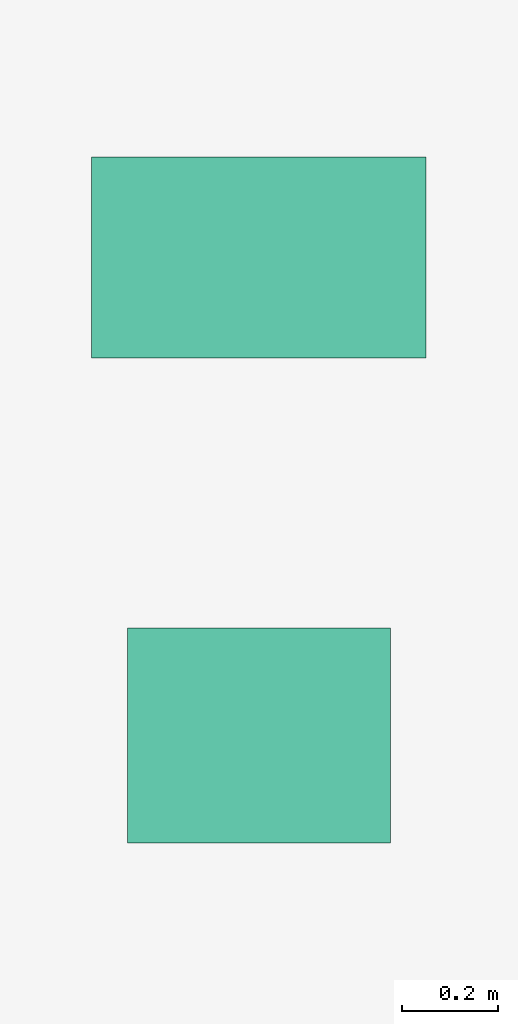
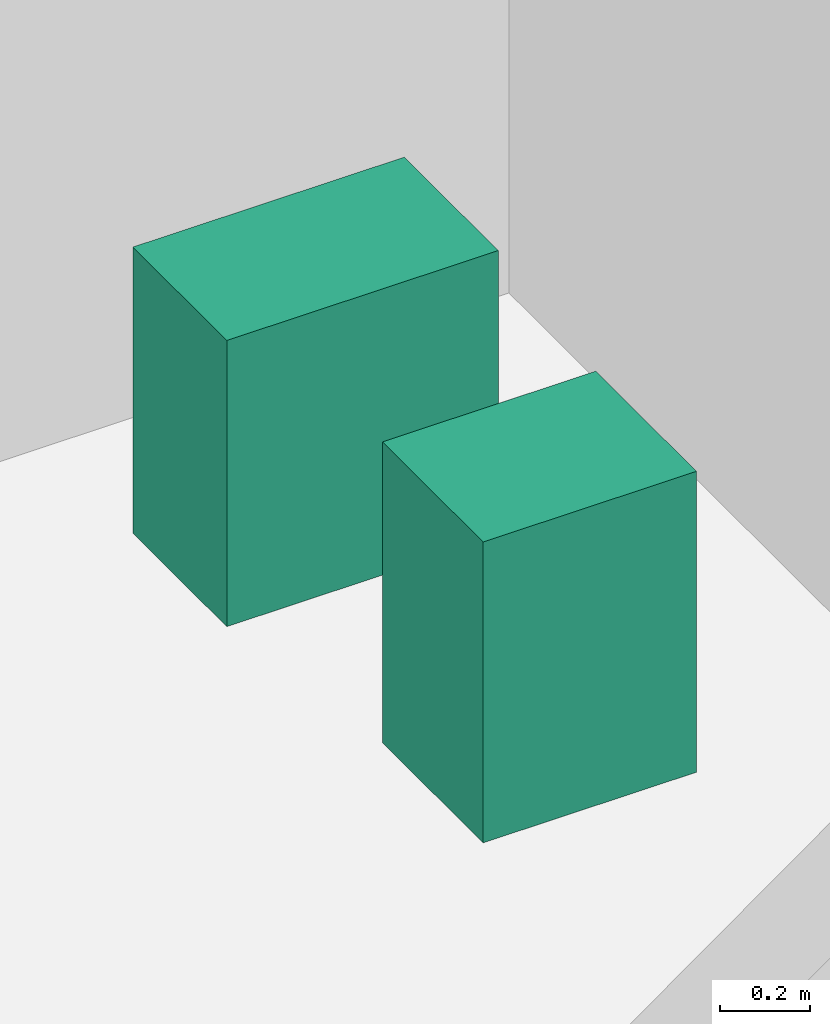
# One storey, part 37 of 37: 2 sanitary terminals.
"""IFC4 building model written with IfcOpenShell, lengths in metres."""

from ifc_helpers import new_model, si_unit, direction, frame, origin, origin_2d, place, context, subcontext, project, spatial, rectangle, extrude, source, transform, mapped, material, type_object, element, save


model = new_model("IFC4")

# Units and contexts
model_context = context("Model", 3, precision=1e-05, world=origin(), true_north=direction((0.0, 1.0)))
body_context = subcontext(model_context, "Body", "Model", "MODEL_VIEW")
ifc_project = project(units=[si_unit("LENGTHUNIT", "METRE"), si_unit("AREAUNIT", "SQUARE_METRE"), si_unit("VOLUMEUNIT", "CUBIC_METRE"), si_unit("PLANEANGLEUNIT", "RADIAN"), si_unit("MASSUNIT", "GRAM", prefix="KILO")], contexts=[model_context])

# Site, building, storey
site_placement = place(None, origin())
site = spatial("IfcSite", under=ifc_project, at=site_placement, CompositionType="ELEMENT")
building_placement = place(site_placement, origin())
building = spatial("IfcBuilding", under=site, at=building_placement, Name="Sumidabori Civic Tower", CompositionType="ELEMENT")
storey_placement = place(building_placement, frame((0.0, 0.0, 117.199951171875)))
storey = spatial("IfcBuildingStorey", under=building, at=storey_placement, Name="L30", CompositionType="ELEMENT", Elevation=117.199951171875)

# Sanitary terminals
ifc_material = material(Name="Vitreous Sanitary Porcelain")
sanitary_terminal_type_1 = type_object("IfcSanitaryTerminalType", Name="SN-WC-1", PredefinedType="TOILETPAN", material=ifc_material)
shared_shape_1 = source(origin(), body_context, "Body", "SweptSolid", [
    extrude(rectangle(XDim=0.699951171875, YDim=0.419921875, at=origin_2d()), origin(), (0.0, 0.0, 1.0), 0.780029296875),
])
sanitary_terminal_1_placement = place(storey_placement, frame((10.800048828125, 21.85009765625, 0.0), z_axis=(0.0, 0.0, 1.0), x_axis=(1.0, 0.0, 0.0)))
element("IfcSanitaryTerminal", 1, at=sanitary_terminal_1_placement, inside=storey, type_object=sanitary_terminal_type_1, Name="Accessible WC Pan L30", PredefinedType="TOILETPAN", context=body_context, shape_type="MappedRepresentation", body=[
    mapped(shared_shape_1, transform((0.0, 0.0, 0.0), x_axis=(1.0, 0.0, 0.0), y_axis=(0.0, 1.0, 0.0), z_axis=(0.0, 0.0, 1.0), scale=1.0)),
])
sanitary_terminal_type_2 = type_object("IfcSanitaryTerminalType", Name="SN-BAS-1", PredefinedType="WASHHANDBASIN", material=ifc_material)
shared_shape_2 = source(origin(), body_context, "Body", "SweptSolid", [
    extrude(rectangle(XDim=0.550048828125, YDim=0.449951171875, at=origin_2d()), origin(), (0.0, 0.0, 1.0), 0.820068359375),
])
sanitary_terminal_2_placement = place(storey_placement, frame((10.800048828125, 20.85009765625, 0.0), z_axis=(0.0, 0.0, 1.0), x_axis=(1.0, 0.0, 0.0)))
element("IfcSanitaryTerminal", 2, at=sanitary_terminal_2_placement, inside=storey, type_object=sanitary_terminal_type_2, Name="Accessible Basin L30", PredefinedType="WASHHANDBASIN", context=body_context, shape_type="MappedRepresentation", body=[
    mapped(shared_shape_2, transform((0.0, 0.0, 0.0), x_axis=(1.0, 0.0, 0.0), y_axis=(0.0, 1.0, 0.0), z_axis=(0.0, 0.0, 1.0), scale=1.0)),
])

save(model, "model.ifc")
